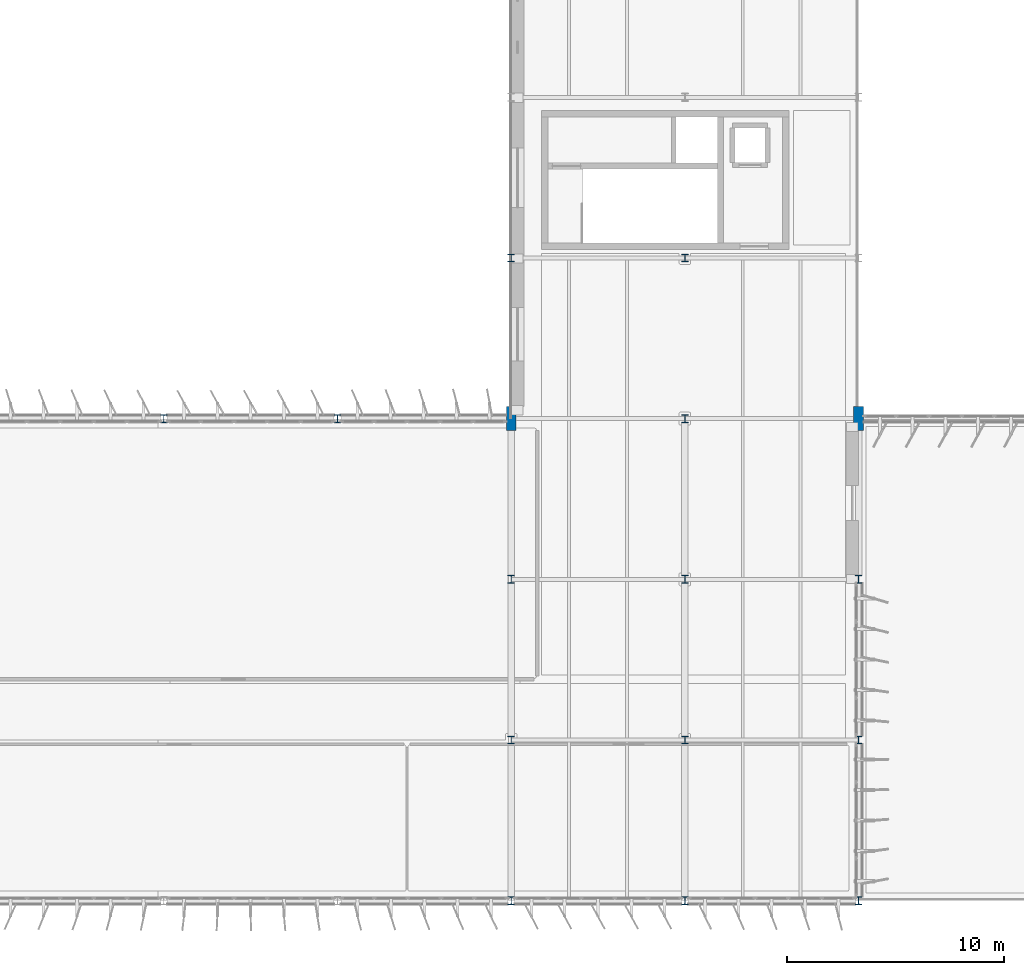
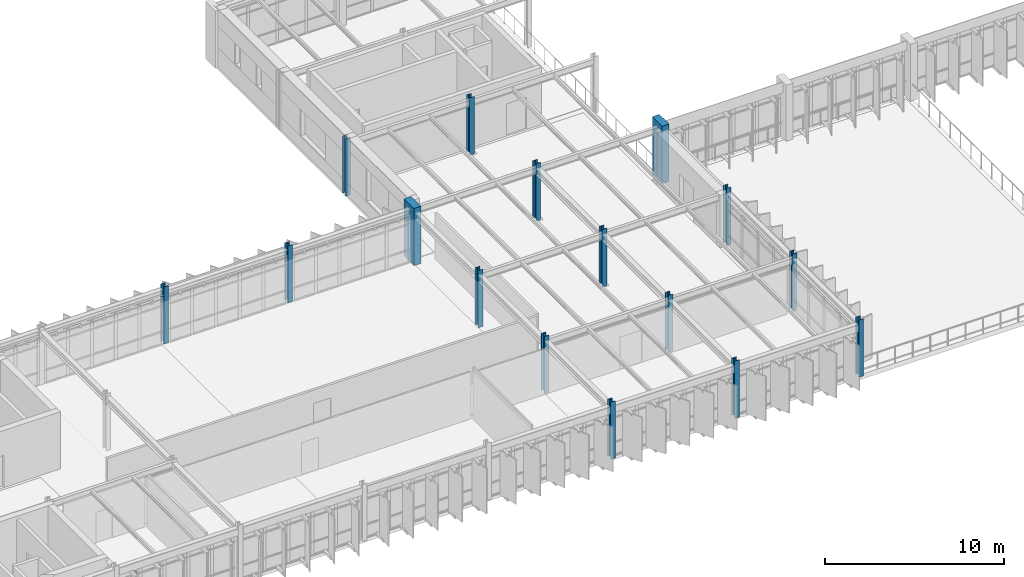
# One storey, part 3 of 45: 16 columns.
"""IFC4 building model written with IfcOpenShell, lengths in metres."""

from ifc_helpers import new_model, si_unit, direction, frame, origin, origin_2d, place, context, subcontext, project, spatial, rectangle, i_section, extrude, material, material_profile, profile_set, type_object, element, save


model = new_model("IFC4")

# Units and contexts
model_context = context("Model", 3, precision=1e-05, world=origin(), true_north=direction((0.0, 1.0)))
body_context = subcontext(model_context, "Body", "Model", "MODEL_VIEW")
ifc_project = project(units=[si_unit("LENGTHUNIT", "METRE"), si_unit("AREAUNIT", "SQUARE_METRE"), si_unit("VOLUMEUNIT", "CUBIC_METRE"), si_unit("PLANEANGLEUNIT", "RADIAN"), si_unit("MASSUNIT", "GRAM", prefix="KILO")], contexts=[model_context])

# Site, building, storey
site_placement = place(None, origin())
site = spatial("IfcSite", under=ifc_project, at=site_placement, CompositionType="ELEMENT")
building_placement = place(site_placement, origin())
building = spatial("IfcBuilding", under=site, at=building_placement, Name="Valkorina Park Police Headquarters", CompositionType="ELEMENT")
storey_placement = place(building_placement, frame((0.0, 0.0, 23.300048828125)))
storey = spatial("IfcBuildingStorey", under=building, at=storey_placement, Name="L06", CompositionType="ELEMENT", Elevation=23.300048828125)

# Columns
ifc_material_1 = material(Name="Concrete C40/50", Category="concrete")
ifc_material_profile_1 = material_profile(ifc_material_1, rectangle(XDim=0.449951171875, YDim=1.10009765625, at=origin_2d()), Name="RC PIER 450x1100")
ifc_profile_set_1 = profile_set([ifc_material_profile_1], Name="Concrete C40/50")
column_type_1 = type_object("IfcColumnType", Name="COL-RC-PIER-EXT", PredefinedType="PILASTER", material=ifc_profile_set_1)
for number, where, z_axis, x_axis, name in (
    (1, (80.800048828125, 59.199951171875, 0.0), (0.0, 0.0, 1.0), (1.0, 0.0, 0.0), "L06 Column 1064"),
    (2, (96.800048828125, 59.199951171875, 0.0), (0.0, 0.0, 1.0), (1.0, 0.0, 0.0), "L06 Column 1078"),
):
    element("IfcColumn", number, at=place(storey_placement, frame(where, z_axis=z_axis, x_axis=x_axis)), inside=storey, type_object=column_type_1, Name=name, PredefinedType="PILASTER", context=body_context, shape_type="SweptSolid", body=[
        extrude(rectangle(XDim=0.449951171875, YDim=1.10009765625, at=origin_2d()), origin(), (0.0, 0.0, 1.0), 3.89990234375),
    ])
ifc_material_2 = material(Name="Steel S355", Category="steel")
ifc_material_profile_2 = material_profile(ifc_material_2, i_section(OverallWidth=0.300048828125, OverallDepth=0.360107421875, WebThickness=0.012451171875, FlangeThickness=0.0224609375, FilletRadius=0.027099609375, at=origin_2d()), Name="HEB 360")
ifc_profile_set_2 = profile_set([ifc_material_profile_2], Name="Steel S355")
column_type_2 = type_object("IfcColumnType", Name="COL-S355-HEB360-EXT", PredefinedType="COLUMN", material=ifc_profile_set_2)
for number, where, z_axis, x_axis, name in (
    (3, (64.800048828125, 59.199951171875, 0.0), (0.0, 0.0, 1.0), (1.0, 0.0, 0.0), "L06 Column 1058"),
    (4, (72.800048828125, 59.199951171875, 0.0), (0.0, 0.0, 1.0), (1.0, 0.0, 0.0), "L06 Column 1060"),
    (5, (80.800048828125, 37.0, 0.0), (0.0, 0.0, 1.0), (1.0, 0.0, 0.0), "L06 Column 1061"),
    (6, (80.800048828125, 66.60009765625, 0.0), (0.0, 0.0, 1.0), (1.0, 0.0, 0.0), "L06 Column 1065"),
    (7, (88.800048828125, 37.0, 0.0), (0.0, 0.0, 1.0), (1.0, 0.0, 0.0), "L06 Column 1068"),
    (8, (96.800048828125, 37.0, 0.0), (0.0, 0.0, 1.0), (1.0, 0.0, 0.0), "L06 Column 1075"),
    (9, (96.800048828125, 44.39990234375, 0.0), (0.0, 0.0, 1.0), (1.0, 0.0, 0.0), "L06 Column 1076"),
    (10, (96.800048828125, 51.800048828125, 0.0), (0.0, 0.0, 1.0), (1.0, 0.0, 0.0), "L06 Column 1077"),
):
    element("IfcColumn", number, at=place(storey_placement, frame(where, z_axis=z_axis, x_axis=x_axis)), inside=storey, type_object=column_type_2, Name=name, PredefinedType="COLUMN", context=body_context, shape_type="SweptSolid", body=[
        extrude(i_section(OverallWidth=0.300048828125, OverallDepth=0.360107421875, WebThickness=0.012451171875, FlangeThickness=0.0224609375, FilletRadius=0.027099609375, at=origin_2d()), origin(), (0.0, 0.0, 1.0), 3.89990234375),
    ])
ifc_material_profile_3 = material_profile(ifc_material_2, i_section(OverallWidth=0.300048828125, OverallDepth=0.360107421875, WebThickness=0.012451171875, FlangeThickness=0.0224609375, FilletRadius=0.027099609375, at=origin_2d()), Name="HEB 360")
ifc_profile_set_3 = profile_set([ifc_material_profile_3], Name="Steel S355")
column_type_3 = type_object("IfcColumnType", Name="COL-S355-HEB360-INT", PredefinedType="COLUMN", material=ifc_profile_set_3)
for number, where, z_axis, x_axis, name in (
    (11, (80.800048828125, 44.39990234375, 0.0), (0.0, 0.0, 1.0), (1.0, 0.0, 0.0), "L06 Column 1062"),
    (12, (80.800048828125, 51.800048828125, 0.0), (0.0, 0.0, 1.0), (1.0, 0.0, 0.0), "L06 Column 1063"),
    (13, (88.800048828125, 44.39990234375, 0.0), (0.0, 0.0, 1.0), (1.0, 0.0, 0.0), "L06 Column 1069"),
    (14, (88.800048828125, 51.800048828125, 0.0), (0.0, 0.0, 1.0), (1.0, 0.0, 0.0), "L06 Column 1070"),
    (15, (88.800048828125, 59.199951171875, 0.0), (0.0, 0.0, 1.0), (1.0, 0.0, 0.0), "L06 Column 1071"),
    (16, (88.800048828125, 66.60009765625, 0.0), (0.0, 0.0, 1.0), (1.0, 0.0, 0.0), "L06 Column 1072"),
):
    element("IfcColumn", number, at=place(storey_placement, frame(where, z_axis=z_axis, x_axis=x_axis)), inside=storey, type_object=column_type_3, Name=name, PredefinedType="COLUMN", context=body_context, shape_type="SweptSolid", body=[
        extrude(i_section(OverallWidth=0.300048828125, OverallDepth=0.360107421875, WebThickness=0.012451171875, FlangeThickness=0.0224609375, FilletRadius=0.027099609375, at=origin_2d()), origin(), (0.0, 0.0, 1.0), 3.89990234375),
    ])

save(model, "model.ifc")
